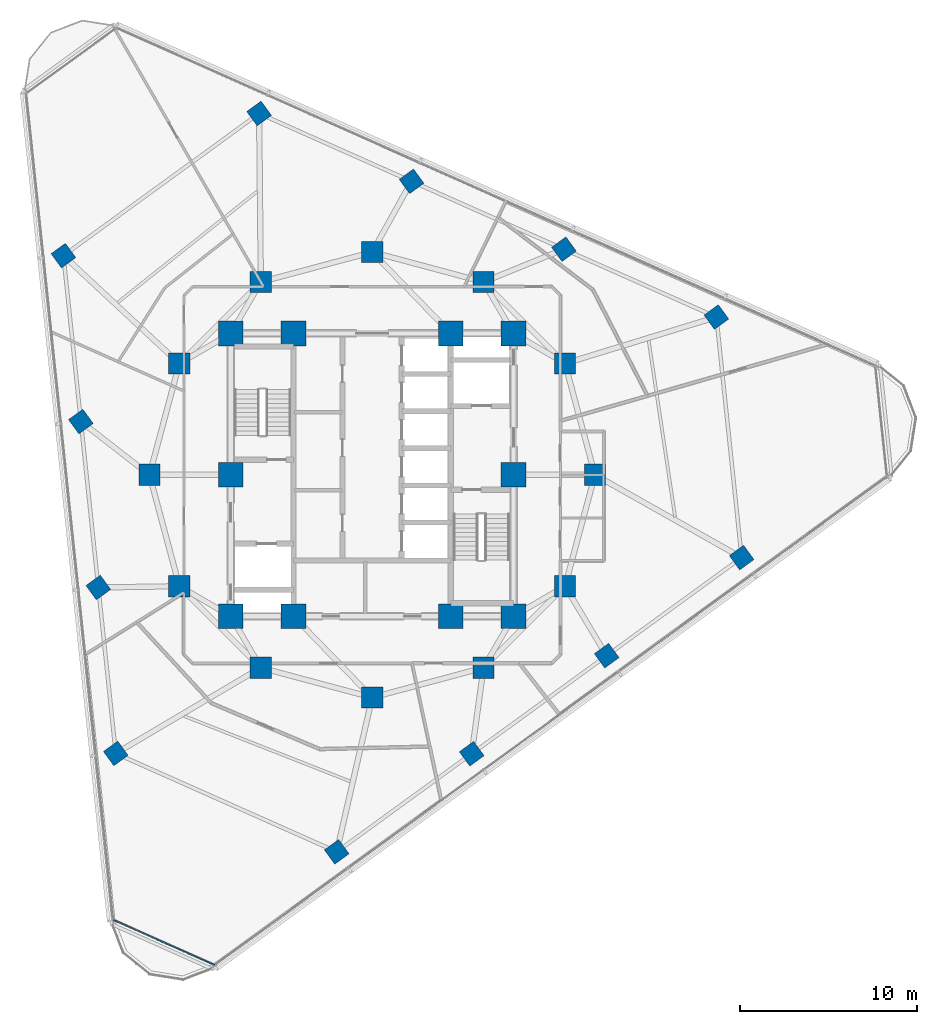
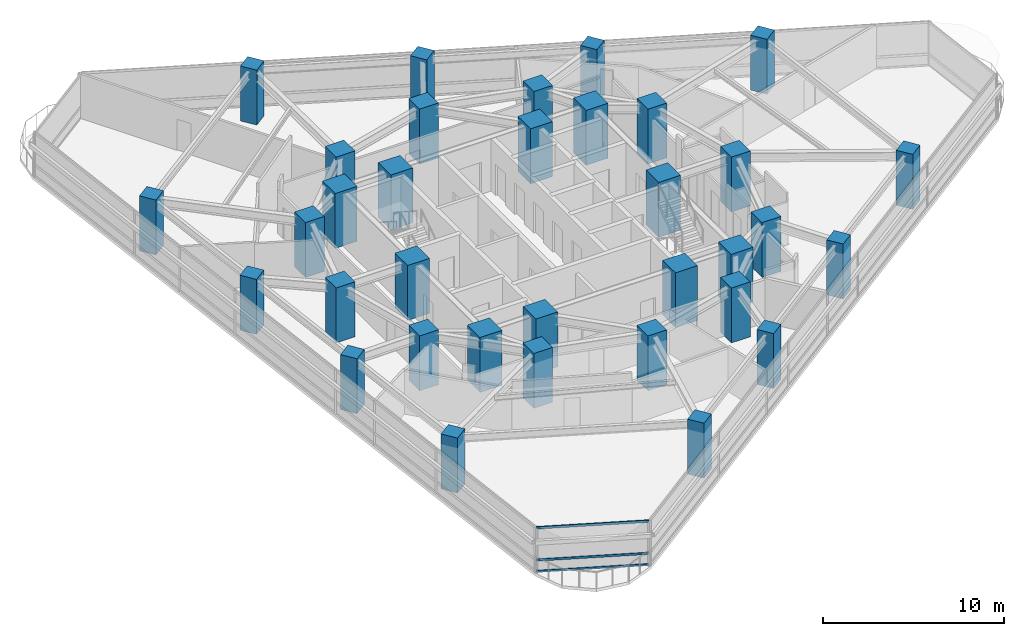
# One storey, part 1 of 14: 34 columns, 3 members, 1 element without a shape of its own.
"""IFC4 building model written with IfcOpenShell, lengths in metres."""

from ifc_helpers import new_model, si_unit, direction, frame, origin, origin_2d, place, context, subcontext, project, spatial, rectangle, extrude, material, layer, layer_set, material_profile, profile_set, type_object, element, aggregate, save


model = new_model("IFC4")

# Units and contexts
model_context = context("Model", 3, precision=1e-05, world=origin(), true_north=direction((0.0, 1.0)))
body_context = subcontext(model_context, "Body", "Model", "MODEL_VIEW")
ifc_project = project(units=[si_unit("LENGTHUNIT", "METRE"), si_unit("AREAUNIT", "SQUARE_METRE"), si_unit("VOLUMEUNIT", "CUBIC_METRE"), si_unit("PLANEANGLEUNIT", "RADIAN"), si_unit("MASSUNIT", "GRAM", prefix="KILO")], contexts=[model_context])

# Site, building, storey
site_placement = place(None, origin())
site = spatial("IfcSite", under=ifc_project, at=site_placement, CompositionType="ELEMENT")
building_placement = place(site_placement, origin())
building = spatial("IfcBuilding", under=site, at=building_placement, Name="Terralouvre Media Tower", CompositionType="ELEMENT")
storey_placement = place(building_placement, frame((0.0, 0.0, 162.0)))
storey = spatial("IfcBuildingStorey", under=building, at=storey_placement, Name="L41", CompositionType="ELEMENT", Elevation=162.0)

# Columns
ifc_material_1 = material(Name="Concrete C50/60", Category="concrete")
ifc_material_profile_1 = material_profile(ifc_material_1, rectangle(XDim=1.0, YDim=1.0, at=origin_2d()), Name="RC 1000x1000")
ifc_profile_set_1 = profile_set([ifc_material_profile_1], Name="Concrete C50/60")
column_type_1 = type_object("IfcColumnType", Name="Structural Column C-RC1000 (RC 1000x1000)", PredefinedType="COLUMN", material=ifc_profile_set_1)
for number, where, z_axis, x_axis, name in (
    (1, (-2.0068359375, -21.328369140625, 0.0), (0.0, 0.0, 1.0), (0.809016994375, 0.587785252292, 0.0), "L41 Perimeter Mega-Column PC11"),
    (2, (5.63037109375, -15.77978515625, 0.0), (0.0, 0.0, 1.0), (0.809016994375, 0.587785252292, 0.0), "L41 Perimeter Mega-Column PC12"),
    (3, (13.267578125, -10.23095703125, 0.0), (0.0, 0.0, 1.0), (0.809016994375, 0.587785252292, 0.0), "L41 Perimeter Mega-Column PC13"),
    (4, (20.904541015625, -4.682373046875, 0.0), (0.0, 0.0, 1.0), (0.809016994375, 0.587785252292, 0.0), "L41 Perimeter Mega-Column PC14"),
    (5, (19.474365234375, 8.92626953125, 0.0), (0.0, 0.0, 1.0), (0.809016994375, 0.587785252292, 0.0), "L41 Perimeter Mega-Column PC21"),
    (6, (10.850341796875, 12.765869140625, 0.0), (0.0, 0.0, 1.0), (0.809016994375, 0.587785252292, 0.0), "L41 Perimeter Mega-Column PC22"),
    (7, (2.2265625, 16.60546875, 0.0), (0.0, 0.0, 1.0), (0.809016994375, 0.587785252292, 0.0), "L41 Perimeter Mega-Column PC23"),
    (8, (-6.397216796875, 20.445068359375, 0.0), (0.0, 0.0, 1.0), (0.809016994375, 0.587785252292, 0.0), "L41 Perimeter Mega-Column PC24"),
    (9, (-17.467529296875, 12.402099609375, 0.0), (0.0, 0.0, 1.0), (0.809016994375, 0.587785252292, 0.0), "L41 Perimeter Mega-Column PC31"),
    (10, (-16.480712890625, 3.013916015625, 0.0), (0.0, 0.0, 1.0), (0.809016994375, 0.587785252292, 0.0), "L41 Perimeter Mega-Column PC32"),
    (11, (-15.494140625, -6.37451171875, 0.0), (0.0, 0.0, 1.0), (0.809016994375, 0.587785252292, 0.0), "L41 Perimeter Mega-Column PC33"),
    (12, (-14.50732421875, -15.7626953125, 0.0), (0.0, 0.0, 1.0), (0.809016994375, 0.587785252292, 0.0), "L41 Perimeter Mega-Column PC34"),
):
    element("IfcColumn", number, at=place(storey_placement, frame(where, z_axis=z_axis, x_axis=x_axis)), inside=storey, type_object=column_type_1, Name=name, PredefinedType="COLUMN", context=body_context, shape_type="SweptSolid", body=[
        extrude(rectangle(XDim=1.0, YDim=1.0, at=origin_2d()), origin(), (0.0, 0.0, 1.0), 3.699951171875),
    ])
ifc_material_2 = material(Name="Concrete C60/75", Category="concrete")
ifc_material_profile_2 = material_profile(ifc_material_2, rectangle(XDim=1.199951171875, YDim=1.199951171875, at=origin_2d()), Name="RC 1200x1200")
ifc_profile_set_2 = profile_set([ifc_material_profile_2], Name="Concrete C60/75")
column_type_2 = type_object("IfcColumnType", Name="Structural Column C-RC1200 (RC 1200x1200)", PredefinedType="COLUMN", material=ifc_profile_set_2)
for number, where, z_axis, x_axis, name in (
    (13, (12.60009765625, 0.0, 0.0), (0.0, 0.0, 1.0), (1.0, 0.0, 0.0), "L41 Mega-Frame Column MC01"),
    (14, (10.911865234375, 6.300048828125, 0.0), (0.0, 0.0, 1.0), (1.0, 0.0, 0.0), "L41 Mega-Frame Column MC02"),
    (15, (6.300048828125, 10.911865234375, 0.0), (0.0, 0.0, 1.0), (1.0, 0.0, 0.0), "L41 Mega-Frame Column MC03"),
    (16, (0.0, 12.60009765625, 0.0), (0.0, 0.0, 1.0), (1.0, 0.0, 0.0), "L41 Mega-Frame Column MC04"),
    (17, (-6.300048828125, 10.911865234375, 0.0), (0.0, 0.0, 1.0), (1.0, 0.0, 0.0), "L41 Mega-Frame Column MC05"),
    (18, (-10.911865234375, 6.300048828125, 0.0), (0.0, 0.0, 1.0), (1.0, 0.0, 0.0), "L41 Mega-Frame Column MC06"),
    (19, (-12.60009765625, 0.0, 0.0), (0.0, 0.0, 1.0), (1.0, 0.0, 0.0), "L41 Mega-Frame Column MC07"),
    (20, (-10.911865234375, -6.300048828125, 0.0), (0.0, 0.0, 1.0), (1.0, 0.0, 0.0), "L41 Mega-Frame Column MC08"),
    (21, (-6.300048828125, -10.911865234375, 0.0), (0.0, 0.0, 1.0), (1.0, 0.0, 0.0), "L41 Mega-Frame Column MC09"),
    (22, (0.0, -12.60009765625, 0.0), (0.0, 0.0, 1.0), (1.0, 0.0, 0.0), "L41 Mega-Frame Column MC10"),
    (23, (6.300048828125, -10.911865234375, 0.0), (0.0, 0.0, 1.0), (1.0, 0.0, 0.0), "L41 Mega-Frame Column MC11"),
    (24, (10.911865234375, -6.300048828125, 0.0), (0.0, 0.0, 1.0), (1.0, 0.0, 0.0), "L41 Mega-Frame Column MC12"),
):
    element("IfcColumn", number, at=place(storey_placement, frame(where, z_axis=z_axis, x_axis=x_axis)), inside=storey, type_object=column_type_2, Name=name, PredefinedType="COLUMN", context=body_context, shape_type="SweptSolid", body=[
        extrude(rectangle(XDim=1.199951171875, YDim=1.199951171875, at=origin_2d()), origin(), (0.0, 0.0, 1.0), 3.699951171875),
    ])
ifc_material_3 = material(Name="Concrete C60/75", Category="concrete")
ifc_material_profile_3 = material_profile(ifc_material_3, rectangle(XDim=1.39990234375, YDim=1.39990234375, at=origin_2d()), Name="RC 1400x1400")
ifc_profile_set_3 = profile_set([ifc_material_profile_3], Name="Concrete C60/75")
column_type_3 = type_object("IfcColumnType", Name="Structural Column C-RC1400 (RC 1400x1400)", PredefinedType="COLUMN", material=ifc_profile_set_3)
for number, where, z_axis, x_axis, name in (
    (25, (-8.0, -8.0, 0.0), (0.0, 0.0, 1.0), (1.0, 0.0, 0.0), "L41 Core Pilaster Column CP1"),
    (26, (-4.449951171875, -8.0, 0.0), (0.0, 0.0, 1.0), (1.0, 0.0, 0.0), "L41 Core Pilaster Column CP2"),
    (27, (4.449951171875, -8.0, 0.0), (0.0, 0.0, 1.0), (1.0, 0.0, 0.0), "L41 Core Pilaster Column CP10"),
    (28, (8.0, -8.0, 0.0), (0.0, 0.0, 1.0), (1.0, 0.0, 0.0), "L41 Core Pilaster Column CP3"),
    (29, (8.0, 0.0, 0.0), (0.0, 0.0, 1.0), (1.0, 0.0, 0.0), "L41 Core Pilaster Column CP4"),
    (30, (8.0, 8.0, 0.0), (0.0, 0.0, 1.0), (1.0, 0.0, 0.0), "L41 Core Pilaster Column CP5"),
    (31, (4.449951171875, 8.0, 0.0), (0.0, 0.0, 1.0), (1.0, 0.0, 0.0), "L41 Core Pilaster Column CP9"),
    (32, (-4.449951171875, 8.0, 0.0), (0.0, 0.0, 1.0), (1.0, 0.0, 0.0), "L41 Core Pilaster Column CP6"),
    (33, (-8.0, 8.0, 0.0), (0.0, 0.0, 1.0), (1.0, 0.0, 0.0), "L41 Core Pilaster Column CP7"),
    (34, (-8.0, 0.0, 0.0), (0.0, 0.0, 1.0), (1.0, 0.0, 0.0), "L41 Core Pilaster Column CP8"),
):
    element("IfcColumn", number, at=place(storey_placement, frame(where, z_axis=z_axis, x_axis=x_axis)), inside=storey, type_object=column_type_3, Name=name, PredefinedType="COLUMN", context=body_context, shape_type="SweptSolid", body=[
        extrude(rectangle(XDim=1.39990234375, YDim=1.39990234375, at=origin_2d()), origin(), (0.0, 0.0, 1.0), 3.699951171875),
    ])

# Curtain wall, members
ifc_material_4 = material(Name="Low-iron laminated double glazing with solar-control coating", Category="glass")
ifc_layer = layer(ifc_material_4, 0.1650390625, Name="Rounded Wind-Corner Curved Glazing CW-04")
ifc_layer_set = layer_set([ifc_layer], Name="Low-iron laminated double glazing with solar-control coating")
curtain_wall_type = type_object("IfcCurtainWallType", Name="Rounded Wind-Corner Curved Glazing CW-04", PredefinedType="NOTDEFINED", material=ifc_layer_set)
curtain_wall_placement = place(storey_placement, origin())
curtain_wall = element("IfcCurtainWall", 35, at=curtain_wall_placement, inside=storey, type_object=curtain_wall_type, Name="L41 Rounded Wind-Corner Curtain Wall C0", PredefinedType="NOTDEFINED")
ifc_material_5 = material(Name="Anodised extruded aluminium 6063-T6", Category="aluminium")
ifc_material_profile_4 = material_profile(ifc_material_5, rectangle(XDim=0.074951171875, YDim=0.14990234375, at=origin_2d()), Name="ALU 75x150")
ifc_profile_set_4 = profile_set([ifc_material_profile_4], Name="Anodised extruded aluminium 6063-T6")
member_type = type_object("IfcMemberType", Name="Curtain-Wall Horizontal Transom TR-150", PredefinedType="USERDEFINED", material=ifc_profile_set_4)
member_1_placement = place(storey_placement, frame((-14.63818359375, -25.184326171875, 0.03759765625), z_axis=(0.913542712087, -0.406742809639, 0.0), x_axis=(0.406742809639, 0.913542712087, 0.0)))
member_1 = element("IfcMember", 36, at=member_1_placement, type_object=member_type, Name="CW-04 transom 1.1", ObjectType="TRANSOM", PredefinedType="USERDEFINED", context=body_context, shape_type="SweptSolid", body=[
    extrude(rectangle(XDim=0.074951171875, YDim=0.14990234375, at=origin_2d()), origin(), (0.0, 0.0, 1.0), 6.258544921875),
])
member_2_placement = place(storey_placement, frame((-14.63818359375, -25.184326171875, 0.800048828125), z_axis=(0.913542712087, -0.406742809639, 0.0), x_axis=(0.406742809639, 0.913542712087, 0.0)))
member_2 = element("IfcMember", 37, at=member_2_placement, type_object=member_type, Name="CW-04 transom 1.2", ObjectType="TRANSOM", PredefinedType="USERDEFINED", context=body_context, shape_type="SweptSolid", body=[
    extrude(rectangle(XDim=0.074951171875, YDim=0.14990234375, at=origin_2d()), origin(), (0.0, 0.0, 1.0), 6.258544921875),
])
member_3_placement = place(storey_placement, frame((-14.63818359375, -25.184326171875, 2.96240234375), z_axis=(0.913542712087, -0.406742809639, 0.0), x_axis=(0.406742809639, 0.913542712087, 0.0)))
member_3 = element("IfcMember", 38, at=member_3_placement, type_object=member_type, Name="CW-04 transom 1.3", ObjectType="TRANSOM", PredefinedType="USERDEFINED", context=body_context, shape_type="SweptSolid", body=[
    extrude(rectangle(XDim=0.074951171875, YDim=0.14990234375, at=origin_2d()), origin(), (0.0, 0.0, 1.0), 6.258544921875),
])
aggregate(curtain_wall, [member_1, member_2, member_3])

save(model, "model.ifc")
